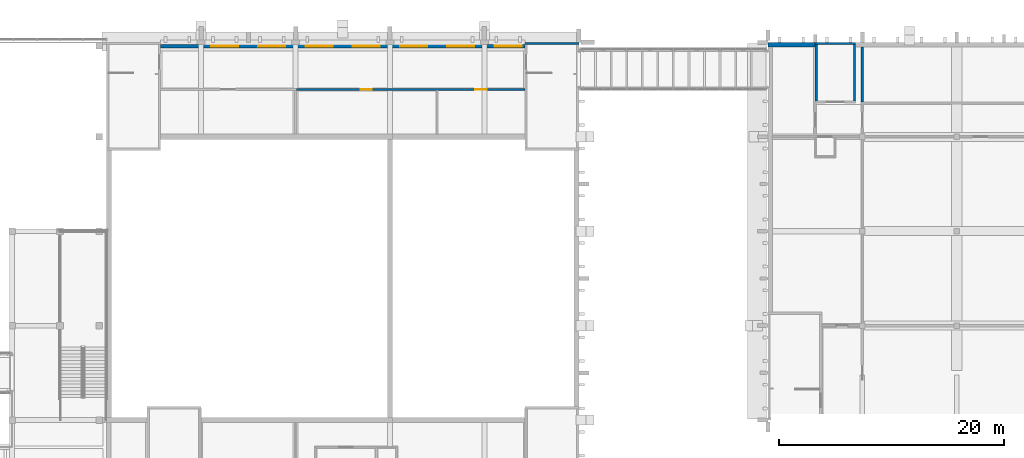
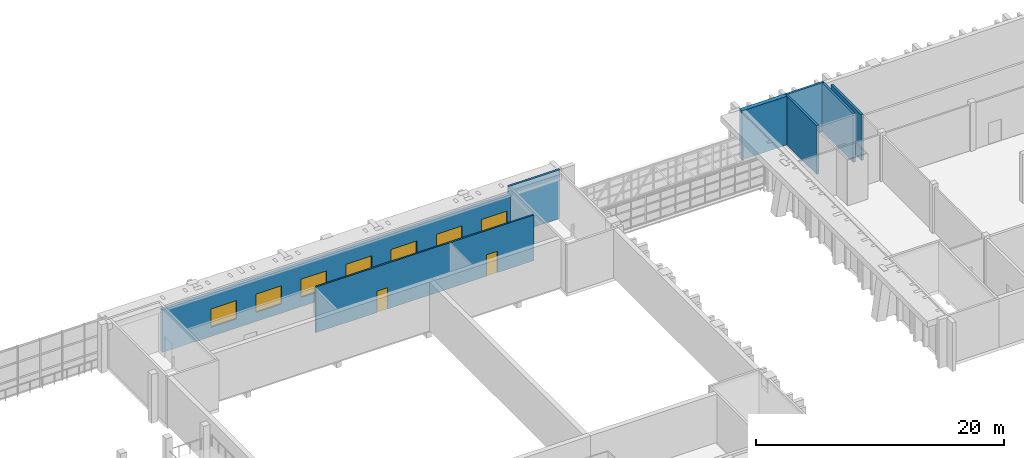
# One storey, part 51 of 86: 8 walls, 7 windows, 2 doors, 9 openings.
"""IFC4 building model written with IfcOpenShell, lengths in metres."""

from ifc_helpers import new_model, si_unit, direction, frame, frame_2d, origin, place, context, subcontext, project, spatial, rectangle, extrude, material, layer, layer_set, type_object, element, fill, save


model = new_model("IFC4")

# Units and contexts
model_context = context("Model", 3, precision=1e-05, world=origin(), true_north=direction((0.0, 1.0)))
body_context = subcontext(model_context, "Body", "Model", "MODEL_VIEW")
ifc_project = project(units=[si_unit("LENGTHUNIT", "METRE"), si_unit("AREAUNIT", "SQUARE_METRE"), si_unit("VOLUMEUNIT", "CUBIC_METRE"), si_unit("PLANEANGLEUNIT", "RADIAN"), si_unit("MASSUNIT", "GRAM", prefix="KILO")], contexts=[model_context])

# Site, building, storey
site_placement = place(None, origin())
site = spatial("IfcSite", under=ifc_project, at=site_placement, CompositionType="ELEMENT")
building_placement = place(site_placement, origin())
building = spatial("IfcBuilding", under=site, at=building_placement, Name="Kiln Court Media Centre", CompositionType="ELEMENT")
storey_placement = place(building_placement, frame((0.0, 0.0, 10.199951171875)))
storey = spatial("IfcBuildingStorey", under=building, at=storey_placement, Name="L02", CompositionType="ELEMENT", Elevation=10.199951171875)

# Wall
ifc_material_1 = material(Name="Concrete C40/50", Category="concrete")
ifc_layer_1 = layer(ifc_material_1, 0.39990234375)
ifc_layer_set_1 = layer_set([ifc_layer_1], Name="Concrete C40/50 auditorium wall 400")
wall_type_1 = type_object("IfcWallType", Name="Concrete C40/50 auditorium wall 400", PredefinedType="SHEAR", material=ifc_layer_set_1)
wall_1_placement = place(storey_placement, frame((117.60009765625, 67.0, 0.0), z_axis=(0.0, 0.0, 1.0), x_axis=(1.0, 0.0, 0.0)))
element("IfcWall", 1, at=wall_1_placement, inside=storey, type_object=wall_type_1, Name="L02-W-1139", PredefinedType="SHEAR", context=body_context, shape_type="SweptSolid", body=[
    extrude(rectangle(XDim=4.199951171875, YDim=0.39990234375, at=frame_2d((2.10009765625, 0.0))), origin(), (0.0, 0.0, 1.0), 4.800048828125),
])

# Wall, openings, windows
ifc_material_2 = material(Name="Concrete C40/50", Category="concrete")
ifc_layer_2 = layer(ifc_material_2, 0.300048828125)
ifc_layer_set_2 = layer_set([ifc_layer_2], Name="Concrete C40/50 board-marked facade wall 300")
wall_type_2 = type_object("IfcWallType", Name="Concrete C40/50 board-marked facade wall 300", PredefinedType="SOLIDWALL", material=ifc_layer_set_2)
wall_2_placement = place(storey_placement, frame((63.60009765625, 66.85009765625, 0.0), z_axis=(0.0, 0.0, 1.0), x_axis=(1.0, 0.0, 0.0)))
wall_2 = element("IfcWall", 2, at=wall_2_placement, inside=storey, type_object=wall_type_2, Name="V1 N facade wall 4003", PredefinedType="SOLIDWALL", context=body_context, shape_type="SweptSolid", body=[
    extrude(rectangle(XDim=32.39990234375, YDim=0.300048828125, at=frame_2d((16.199951171875, 0.0))), origin(), (0.0, 0.0, 1.0), 4.199951171875),
])
opening_1_placement = place(wall_2_placement, frame((4.5, 0.0, 0.89990234375)))
opening_1 = element("IfcOpeningElement", 3, at=opening_1_placement, cuts=wall_2, Name="Opening WN2506", PredefinedType="OPENING", context=body_context, shape_type="SweptSolid", body=[
    extrude(rectangle(XDim=2.39990234375, YDim=1.800048828125, at=frame_2d((1.199951171875, 0.89990234375))), frame((0.0, 0.159912109375, 0.0), z_axis=(0.0, -1.0, 0.0), x_axis=(1.0, 0.0, 0.0)), (0.0, 0.0, 1.0), 0.320068359375),
])
opening_2_placement = place(wall_2_placement, frame((8.699951171875, 0.0, 0.89990234375)))
opening_2 = element("IfcOpeningElement", 4, at=opening_2_placement, cuts=wall_2, Name="Opening WN2507", PredefinedType="OPENING", context=body_context, shape_type="SweptSolid", body=[
    extrude(rectangle(XDim=2.39990234375, YDim=1.800048828125, at=frame_2d((1.199951171875, 0.89990234375))), frame((0.0, 0.159912109375, 0.0), z_axis=(0.0, -1.0, 0.0), x_axis=(1.0, 0.0, 0.0)), (0.0, 0.0, 1.0), 0.320068359375),
])
opening_3_placement = place(wall_2_placement, frame((12.89990234375, 0.0, 0.89990234375)))
opening_3 = element("IfcOpeningElement", 5, at=opening_3_placement, cuts=wall_2, Name="Opening WN2508", PredefinedType="OPENING", context=body_context, shape_type="SweptSolid", body=[
    extrude(rectangle(XDim=2.39990234375, YDim=1.800048828125, at=frame_2d((1.199951171875, 0.89990234375))), frame((0.0, 0.159912109375, 0.0), z_axis=(0.0, -1.0, 0.0), x_axis=(1.0, 0.0, 0.0)), (0.0, 0.0, 1.0), 0.320068359375),
])
opening_4_placement = place(wall_2_placement, frame((17.10009765625, 0.0, 0.89990234375)))
opening_4 = element("IfcOpeningElement", 6, at=opening_4_placement, cuts=wall_2, Name="Opening WN2509", PredefinedType="OPENING", context=body_context, shape_type="SweptSolid", body=[
    extrude(rectangle(XDim=2.39990234375, YDim=1.800048828125, at=frame_2d((1.199951171875, 0.89990234375))), frame((0.0, 0.159912109375, 0.0), z_axis=(0.0, -1.0, 0.0), x_axis=(1.0, 0.0, 0.0)), (0.0, 0.0, 1.0), 0.320068359375),
])
opening_5_placement = place(wall_2_placement, frame((21.300048828125, 0.0, 0.89990234375)))
opening_5 = element("IfcOpeningElement", 7, at=opening_5_placement, cuts=wall_2, Name="Opening WN2510", PredefinedType="OPENING", context=body_context, shape_type="SweptSolid", body=[
    extrude(rectangle(XDim=2.39990234375, YDim=1.800048828125, at=frame_2d((1.199951171875, 0.89990234375))), frame((0.0, 0.159912109375, 0.0), z_axis=(0.0, -1.0, 0.0), x_axis=(1.0, 0.0, 0.0)), (0.0, 0.0, 1.0), 0.320068359375),
])
opening_6_placement = place(wall_2_placement, frame((25.5, 0.0, 0.89990234375)))
opening_6 = element("IfcOpeningElement", 8, at=opening_6_placement, cuts=wall_2, Name="Opening WN2511", PredefinedType="OPENING", context=body_context, shape_type="SweptSolid", body=[
    extrude(rectangle(XDim=2.39990234375, YDim=1.800048828125, at=frame_2d((1.199951171875, 0.89990234375))), frame((0.0, 0.159912109375, 0.0), z_axis=(0.0, -1.0, 0.0), x_axis=(1.0, 0.0, 0.0)), (0.0, 0.0, 1.0), 0.320068359375),
])
opening_7_placement = place(wall_2_placement, frame((29.699951171875, 0.0, 0.89990234375)))
opening_7 = element("IfcOpeningElement", 9, at=opening_7_placement, cuts=wall_2, Name="Opening WN2512", PredefinedType="OPENING", context=body_context, shape_type="SweptSolid", body=[
    extrude(rectangle(XDim=2.39990234375, YDim=1.800048828125, at=frame_2d((1.199951171875, 0.89990234375))), frame((0.0, 0.159912109375, 0.0), z_axis=(0.0, -1.0, 0.0), x_axis=(1.0, 0.0, 0.0)), (0.0, 0.0, 1.0), 0.320068359375),
])
ifc_material_3 = material(Name="Aluminium 6063-T6", Category="aluminium")
window_type = type_object("IfcWindowType", Name="Aluminium lobby window 2400x1800", PartitioningType="TRIPLE_PANEL_VERTICAL", PredefinedType="WINDOW", material=ifc_material_3)
window_1_placement = place(opening_1_placement, origin())
window_1 = element("IfcWindow", 10, at=window_1_placement, inside=storey, type_object=window_type, Name="V1 N circulation window", OverallHeight=1.800048828125, OverallWidth=2.39990234375, PartitioningType="SINGLE_PANEL", PredefinedType="WINDOW", context=body_context, shape_type="SweptSolid", body=[
    extrude(rectangle(XDim=2.39990234375, YDim=1.800048828125, at=frame_2d((1.199951171875, 0.89990234375))), frame((0.0, 0.030029296875, 0.0), z_axis=(0.0, -1.0, 0.0), x_axis=(1.0, 0.0, 0.0)), (0.0, 0.0, 1.0), 0.06005859375),
])
fill(opening_1, window_1)
window_2_placement = place(opening_2_placement, origin())
window_2 = element("IfcWindow", 11, at=window_2_placement, inside=storey, type_object=window_type, Name="V1 N circulation window", OverallHeight=1.800048828125, OverallWidth=2.39990234375, PartitioningType="SINGLE_PANEL", PredefinedType="WINDOW", context=body_context, shape_type="SweptSolid", body=[
    extrude(rectangle(XDim=2.39990234375, YDim=1.800048828125, at=frame_2d((1.199951171875, 0.89990234375))), frame((0.0, 0.030029296875, 0.0), z_axis=(0.0, -1.0, 0.0), x_axis=(1.0, 0.0, 0.0)), (0.0, 0.0, 1.0), 0.06005859375),
])
fill(opening_2, window_2)
window_3_placement = place(opening_3_placement, origin())
window_3 = element("IfcWindow", 12, at=window_3_placement, inside=storey, type_object=window_type, Name="V1 N circulation window", OverallHeight=1.800048828125, OverallWidth=2.39990234375, PartitioningType="SINGLE_PANEL", PredefinedType="WINDOW", context=body_context, shape_type="SweptSolid", body=[
    extrude(rectangle(XDim=2.39990234375, YDim=1.800048828125, at=frame_2d((1.199951171875, 0.89990234375))), frame((0.0, 0.030029296875, 0.0), z_axis=(0.0, -1.0, 0.0), x_axis=(1.0, 0.0, 0.0)), (0.0, 0.0, 1.0), 0.06005859375),
])
fill(opening_3, window_3)
window_4_placement = place(opening_4_placement, origin())
window_4 = element("IfcWindow", 13, at=window_4_placement, inside=storey, type_object=window_type, Name="V1 N circulation window", OverallHeight=1.800048828125, OverallWidth=2.39990234375, PartitioningType="SINGLE_PANEL", PredefinedType="WINDOW", context=body_context, shape_type="SweptSolid", body=[
    extrude(rectangle(XDim=2.39990234375, YDim=1.800048828125, at=frame_2d((1.199951171875, 0.89990234375))), frame((0.0, 0.030029296875, 0.0), z_axis=(0.0, -1.0, 0.0), x_axis=(1.0, 0.0, 0.0)), (0.0, 0.0, 1.0), 0.06005859375),
])
fill(opening_4, window_4)
window_5_placement = place(opening_5_placement, origin())
window_5 = element("IfcWindow", 14, at=window_5_placement, inside=storey, type_object=window_type, Name="V1 N circulation window", OverallHeight=1.800048828125, OverallWidth=2.39990234375, PartitioningType="SINGLE_PANEL", PredefinedType="WINDOW", context=body_context, shape_type="SweptSolid", body=[
    extrude(rectangle(XDim=2.39990234375, YDim=1.800048828125, at=frame_2d((1.199951171875, 0.89990234375))), frame((0.0, 0.030029296875, 0.0), z_axis=(0.0, -1.0, 0.0), x_axis=(1.0, 0.0, 0.0)), (0.0, 0.0, 1.0), 0.06005859375),
])
fill(opening_5, window_5)
window_6_placement = place(opening_6_placement, origin())
window_6 = element("IfcWindow", 15, at=window_6_placement, inside=storey, type_object=window_type, Name="V1 N circulation window", OverallHeight=1.800048828125, OverallWidth=2.39990234375, PartitioningType="SINGLE_PANEL", PredefinedType="WINDOW", context=body_context, shape_type="SweptSolid", body=[
    extrude(rectangle(XDim=2.39990234375, YDim=1.800048828125, at=frame_2d((1.199951171875, 0.89990234375))), frame((0.0, 0.030029296875, 0.0), z_axis=(0.0, -1.0, 0.0), x_axis=(1.0, 0.0, 0.0)), (0.0, 0.0, 1.0), 0.06005859375),
])
fill(opening_6, window_6)
window_7_placement = place(opening_7_placement, origin())
window_7 = element("IfcWindow", 16, at=window_7_placement, inside=storey, type_object=window_type, Name="V1 N circulation window", OverallHeight=1.800048828125, OverallWidth=2.39990234375, PartitioningType="SINGLE_PANEL", PredefinedType="WINDOW", context=body_context, shape_type="SweptSolid", body=[
    extrude(rectangle(XDim=2.39990234375, YDim=1.800048828125, at=frame_2d((1.199951171875, 0.89990234375))), frame((0.0, 0.030029296875, 0.0), z_axis=(0.0, -1.0, 0.0), x_axis=(1.0, 0.0, 0.0)), (0.0, 0.0, 1.0), 0.06005859375),
])
fill(opening_7, window_7)

# Walls
ifc_material_4 = material(Name="Concrete C40/50", Category="concrete")
ifc_layer_3 = layer(ifc_material_4, 0.199951171875)
ifc_layer_set_3 = layer_set([ifc_layer_3], Name="Concrete C40/50 lift shaft wall 200 EI 240")
wall_type_3 = type_object("IfcWallType", Name="Concrete C40/50 lift shaft wall 200 EI 240", PredefinedType="SHEAR", material=ifc_layer_set_3)
wall_3_placement = place(storey_placement, frame((126.0, 61.89990234375, 0.0), z_axis=(0.0, 0.0, 1.0), x_axis=(0.0, 1.0, 0.0)))
element("IfcWall", 17, at=wall_3_placement, inside=storey, type_object=wall_type_3, Name="L02 concrete c40/50 lift shaft wall", PredefinedType="SHEAR", context=body_context, shape_type="SweptSolid", body=[
    extrude(rectangle(XDim=4.900146484375, YDim=0.199951171875, at=frame_2d((2.4501953125, 0.0))), origin(), (0.0, 0.0, 1.0), 4.5),
])
ifc_material_5 = material(Name="Concrete C40/50", Category="concrete")
ifc_layer_4 = layer(ifc_material_5, 0.199951171875)
ifc_layer_set_4 = layer_set([ifc_layer_4], Name="Concrete C40/50 shear wall 200")
wall_type_4 = type_object("IfcWallType", Name="Concrete C40/50 shear wall 200", PredefinedType="SHEAR", material=ifc_layer_set_4)
wall_4_placement = place(storey_placement, frame((96.0, 67.10009765625, 0.0), z_axis=(0.0, 0.0, 1.0), x_axis=(1.0, 0.0, 0.0)))
element("IfcWall", 18, at=wall_4_placement, inside=storey, type_object=wall_type_4, Name="L02-W-1045", PredefinedType="SHEAR", context=body_context, shape_type="SweptSolid", body=[
    extrude(rectangle(XDim=4.800048828125, YDim=0.199951171875, at=frame_2d((2.39990234375, 0.0))), origin(), (0.0, 0.0, 1.0), 4.800048828125),
])
wall_5_placement = place(storey_placement, frame((121.800048828125, 67.10009765625, 0.0), z_axis=(0.0, 0.0, 1.0), x_axis=(1.0, 0.0, 0.0)))
element("IfcWall", 19, at=wall_5_placement, inside=storey, type_object=wall_type_4, Name="L02-W-1095", PredefinedType="SHEAR", context=body_context, shape_type="SweptSolid", body=[
    extrude(rectangle(XDim=3.599853515625, YDim=0.199951171875, at=frame_2d((1.7998046875, 0.0))), origin(), (0.0, 0.0, 1.0), 4.800048828125),
])
for number, where, z_axis, x_axis, name in (
    (20, (121.89990234375, 62.0, 0.0), (0.0, 0.0, 1.0), (0.0, 1.0, 0.0), "L02-W-1096"),
    (21, (125.300048828125, 67.0, 0.0), (0.0, 0.0, 1.0), (0.0, -1.0, 0.0), "L02-W-1097"),
):
    element("IfcWall", number, at=place(storey_placement, frame(where, z_axis=z_axis, x_axis=x_axis)), inside=storey, type_object=wall_type_4, Name=name, PredefinedType="SHEAR", context=body_context, shape_type="SweptSolid", body=[
        extrude(rectangle(XDim=5.0, YDim=0.199951171875, at=frame_2d((2.5, 0.0))), origin(), (0.0, 0.0, 1.0), 4.800048828125),
    ])

# Wall, openings, doors
ifc_material_6 = material(Name="Gypsum plasterboard", Category="gypsum")
ifc_layer_5 = layer(ifc_material_6, 0.14990234375)
ifc_layer_set_5 = layer_set([ifc_layer_5], Name="Gypsum corridor partition 150 EI 60")
wall_type_5 = type_object("IfcWallType", Name="Gypsum corridor partition 150 EI 60", PredefinedType="PARTITIONING", material=ifc_layer_set_5)
wall_6_placement = place(storey_placement, frame((75.699951171875, 63.0, 0.0), z_axis=(0.0, 0.0, 1.0), x_axis=(1.0, 0.0, 0.0)))
wall_6 = element("IfcWall", 22, at=wall_6_placement, inside=storey, type_object=wall_type_5, Name="L02 gypsum corridor partition", PredefinedType="PARTITIONING", context=body_context, shape_type="SweptSolid", body=[
    extrude(rectangle(XDim=20.300048828125, YDim=0.14990234375, at=frame_2d((10.14990234375, 0.0))), origin(), (0.0, 0.0, 1.0), 4.5),
])
opening_8_placement = place(wall_6_placement, frame((5.699951171875, 0.0, 0.0)))
opening_8 = element("IfcOpeningElement", 23, at=opening_8_placement, cuts=wall_6, Name="Opening D2026", PredefinedType="OPENING", context=body_context, shape_type="SweptSolid", body=[
    extrude(rectangle(XDim=1.0, YDim=2.10009765625, at=frame_2d((0.5, 1.050048828125))), frame((0.0, 0.0849609375, 0.0), z_axis=(0.0, -1.0, 0.0), x_axis=(1.0, 0.0, 0.0)), (0.0, 0.0, 1.0), 0.169921875),
])
opening_9_placement = place(wall_6_placement, frame((15.89990234375, 0.0, 0.0)))
opening_9 = element("IfcOpeningElement", 24, at=opening_9_placement, cuts=wall_6, Name="Opening D2027", PredefinedType="OPENING", context=body_context, shape_type="SweptSolid", body=[
    extrude(rectangle(XDim=1.0, YDim=2.10009765625, at=frame_2d((0.5, 1.050048828125))), frame((0.0, 0.0849609375, 0.0), z_axis=(0.0, -1.0, 0.0), x_axis=(1.0, 0.0, 0.0)), (0.0, 0.0, 1.0), 0.169921875),
])
ifc_material_7 = material(Name="Steel S275", Category="steel")
door_type = type_object("IfcDoorType", Name="Steel corridor door 1000 x 2100 FD30S", OperationType="SINGLE_SWING_LEFT", PredefinedType="DOOR", material=ifc_material_7)
door_1_placement = place(opening_8_placement, origin())
door_1 = element("IfcDoor", 25, at=door_1_placement, inside=storey, type_object=door_type, Name="Cinema Staff Room / Rear Gallery", OperationType="SINGLE_SWING_RIGHT", OverallHeight=2.10009765625, OverallWidth=1.0, PredefinedType="DOOR", context=body_context, shape_type="SweptSolid", body=[
    extrude(rectangle(XDim=1.0, YDim=2.10009765625, at=frame_2d((0.5, 1.050048828125))), frame((0.0, 0.02490234375, 0.0), z_axis=(0.0, -1.0, 0.0), x_axis=(1.0, 0.0, 0.0)), (0.0, 0.0, 1.0), 0.050048828125),
])
fill(opening_8, door_1)
door_2_placement = place(opening_9_placement, origin())
door_2 = element("IfcDoor", 26, at=door_2_placement, inside=storey, type_object=door_type, Name="Equipment Store / Rear Gallery", OperationType="SINGLE_SWING_LEFT", OverallHeight=2.10009765625, OverallWidth=1.0, PredefinedType="DOOR", context=body_context, shape_type="SweptSolid", body=[
    extrude(rectangle(XDim=1.0, YDim=2.10009765625, at=frame_2d((0.5, 1.050048828125))), frame((0.0, 0.02490234375, 0.0), z_axis=(0.0, -1.0, 0.0), x_axis=(1.0, 0.0, 0.0)), (0.0, 0.0, 1.0), 0.050048828125),
])
fill(opening_9, door_2)

save(model, "model.ifc")
